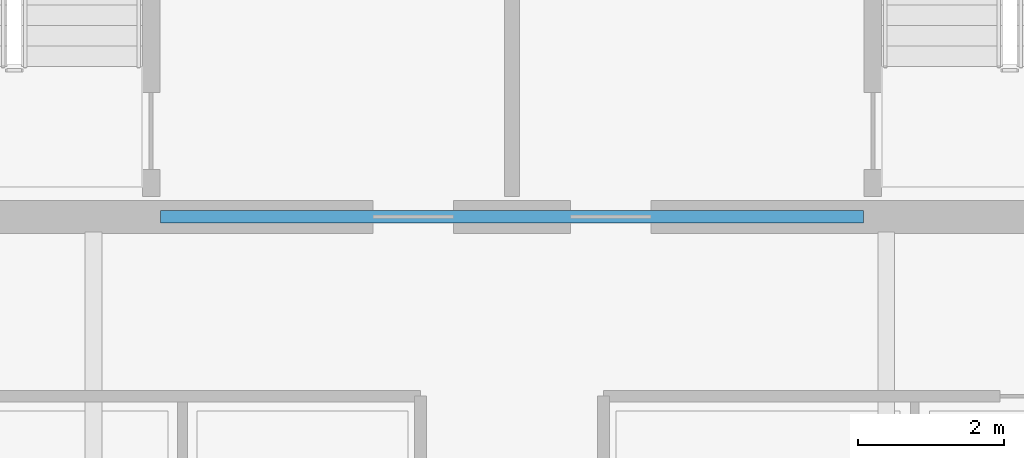
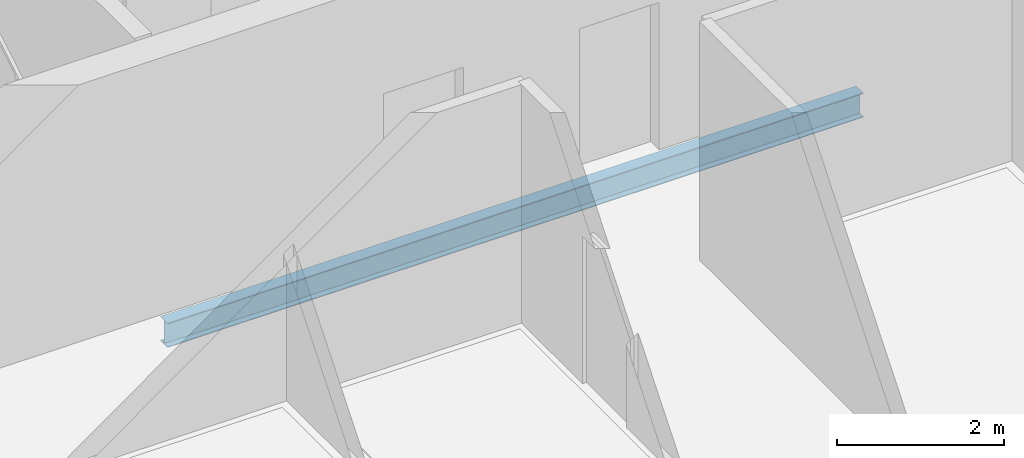
# One storey, part 6 of 26: 1 beam.
"""IFC4 building model written with IfcOpenShell, lengths in metres."""

from ifc_helpers import new_model, si_unit, direction, frame, origin, origin_2d, place, context, subcontext, project, spatial, i_section, extrude, material, material_profile, profile_set, type_object, element, save


model = new_model("IFC4")

# Units and contexts
model_context = context("Model", 3, precision=1e-05, world=origin(), true_north=direction((0.0, 1.0)))
body_context = subcontext(model_context, "Body", "Model", "MODEL_VIEW")
ifc_project = project(units=[si_unit("LENGTHUNIT", "METRE"), si_unit("AREAUNIT", "SQUARE_METRE"), si_unit("VOLUMEUNIT", "CUBIC_METRE"), si_unit("PLANEANGLEUNIT", "RADIAN"), si_unit("MASSUNIT", "GRAM", prefix="KILO")], contexts=[model_context])

# Site, building, storey
site_placement = place(None, origin())
site = spatial("IfcSite", under=ifc_project, at=site_placement, CompositionType="ELEMENT")
building_placement = place(site_placement, origin())
building = spatial("IfcBuilding", under=site, at=building_placement, Name="Haldenkirk Collegiate Tower", CompositionType="ELEMENT")
storey_placement = place(building_placement, frame((0.0, 0.0, 278.699951171875)))
storey = spatial("IfcBuildingStorey", under=building, at=storey_placement, Name="L70", CompositionType="ELEMENT", Elevation=278.699951171875)

# Beam
ifc_material = material(Name="Steel ASTM A992 Grade 50", Category="steel")
ifc_material_profile = material_profile(ifc_material, i_section(OverallWidth=0.1708984375, OverallDepth=0.35595703125, WebThickness=0.007080078125, FlangeThickness=0.01171875, at=origin_2d()), Name="W14X34")
ifc_profile_set = profile_set([ifc_material_profile], Name="Steel ASTM A992 Grade 50")
beam_type = type_object("IfcBeamType", Name="BM-LINTEL-W14X34", PredefinedType="LINTEL", material=ifc_profile_set)
beam_placement = place(storey_placement, frame((31.199951171875, 18.0, -0.447998046875), z_axis=(1.0, 0.0, 0.0), x_axis=(0.0, 1.0, 0.0)))
element("IfcBeam", 1, at=beam_placement, inside=storey, type_object=beam_type, Name="L70 south core coupling lintel", PredefinedType="LINTEL", context=body_context, shape_type="SweptSolid", body=[
    extrude(i_section(OverallWidth=0.1708984375, OverallDepth=0.35595703125, WebThickness=0.007080078125, FlangeThickness=0.01171875, at=origin_2d()), origin(), (0.0, 0.0, 1.0), 9.60009765625),
])

save(model, "model.ifc")
